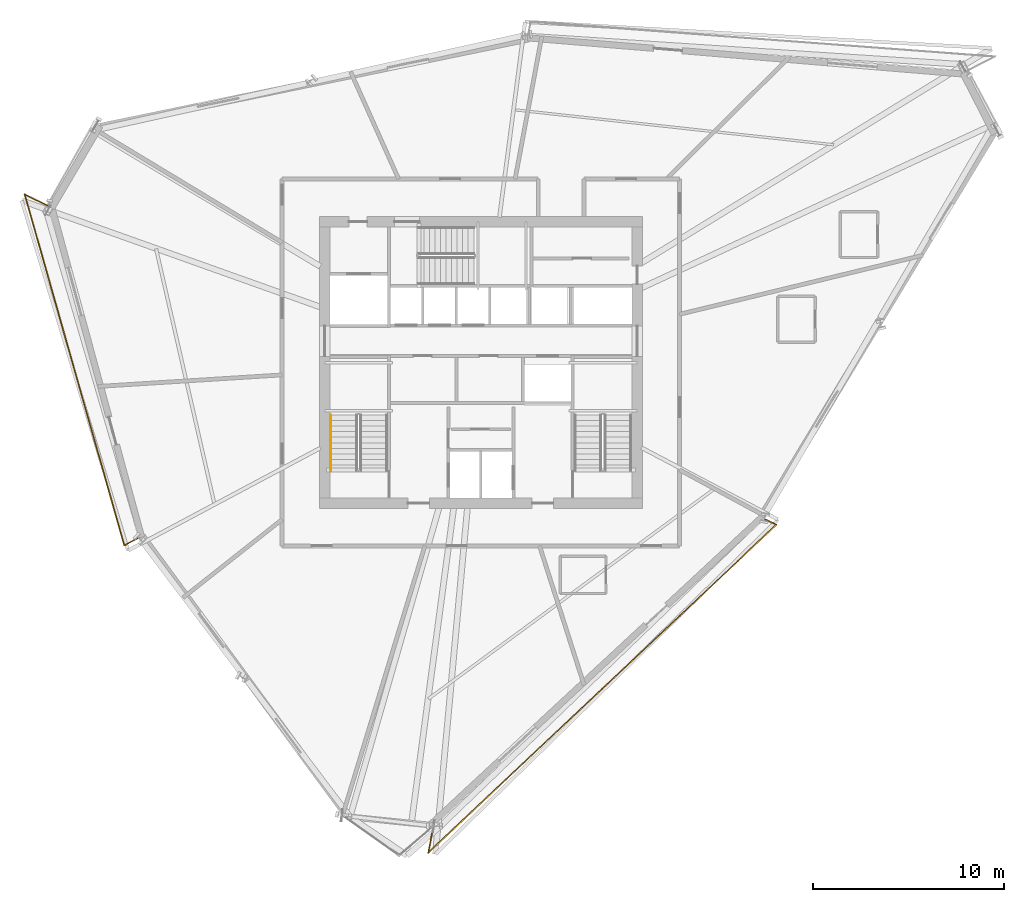
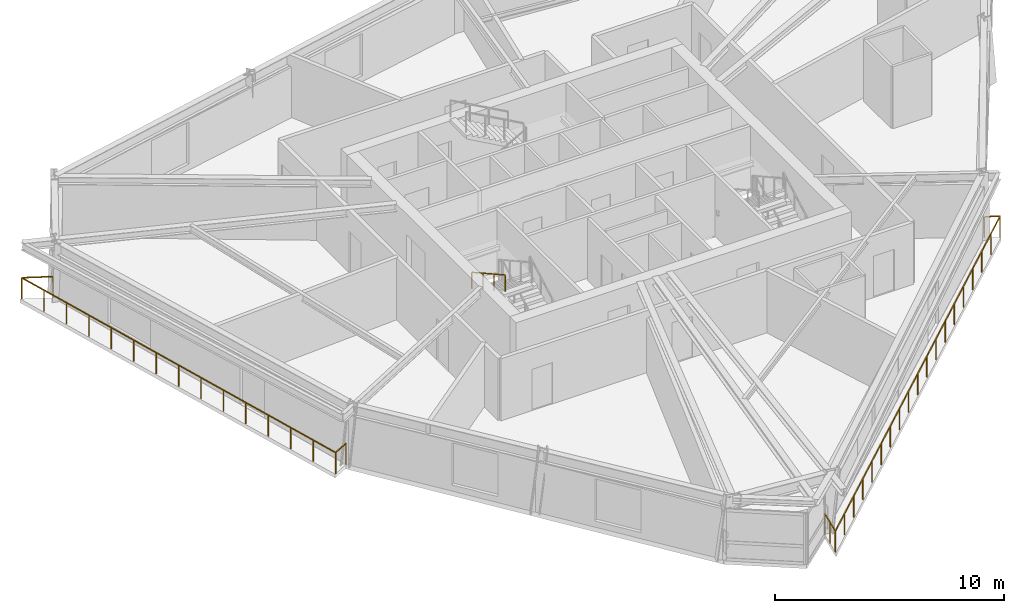
# One storey, part 13 of 15: 3 railings.
"""IFC4 building model written with IfcOpenShell, lengths in metres."""

from ifc_helpers import new_model, si_unit, direction, frame, origin, origin_2d, place, context, subcontext, project, spatial, rectangle, extrude, material, type_object, element, save


model = new_model("IFC4")

# Units and contexts
model_context = context("Model", 3, precision=1e-05, world=origin(), true_north=direction((0.0, 1.0)))
body_context = subcontext(model_context, "Body", "Model", "MODEL_VIEW")
ifc_project = project(units=[si_unit("LENGTHUNIT", "METRE"), si_unit("AREAUNIT", "SQUARE_METRE"), si_unit("VOLUMEUNIT", "CUBIC_METRE"), si_unit("PLANEANGLEUNIT", "RADIAN"), si_unit("MASSUNIT", "GRAM", prefix="KILO")], contexts=[model_context])

# Site, building, storey
site_placement = place(None, origin())
site = spatial("IfcSite", under=ifc_project, at=site_placement, CompositionType="ELEMENT")
building_placement = place(site_placement, origin())
building = spatial("IfcBuilding", under=site, at=building_placement, Name="Olszyna Solenne Hotel", CompositionType="ELEMENT")
storey_placement = place(building_placement, frame((0.0, 0.0, 146.60009765625)))
storey = spatial("IfcBuildingStorey", under=building, at=storey_placement, Name="L38", CompositionType="ELEMENT", Elevation=146.60009765625)

# Railings
ifc_material_1 = material(Name="Anodised bronze aluminium", Category="aluminium")
railing_type_1 = type_object("IfcRailingType", Name="GR-110", PredefinedType="BALUSTRADE", material=ifc_material_1)
railing_1_placement = place(storey_placement, frame((15.365234375, 34.789306640625, 0.0)))
element("IfcRailing", 1, at=railing_1_placement, inside=storey, type_object=railing_type_1, Name="Loggia balcony balustrade guard GR-L38-LG2", PredefinedType="BALUSTRADE", context=body_context, shape_type="SweptSolid", body=[
    extrude(rectangle(XDim=0.048095703125, YDim=0.048095703125, at=origin_2d()), frame((0.0, 0.0, 1.1259765625), z_axis=(-0.895451444024, 0.44515919781, 0.0), x_axis=(-0.44515919781, -0.895451444024, 0.0)), (0.0, 0.0, 1.0), 1.37939453125),
    extrude(rectangle(XDim=0.048095703125, YDim=0.048095703125, at=origin_2d()), frame((-1.235107421875, 0.614013671875, 1.1259765625), z_axis=(0.272978427673, -0.962020154688, 0.0), x_axis=(0.962020154688, 0.272978427673, 0.0)), (0.0, 0.0, 1.0), 19.099853515625),
    extrude(rectangle(XDim=0.048095703125, YDim=0.048095703125, at=origin_2d()), frame((3.978759765625, -17.760498046875, 1.1259765625), z_axis=(0.88763221009, 0.460552993271, 0.0), x_axis=(-0.460552993271, 0.88763221009, 0.0)), (0.0, 0.0, 1.0), 0.845947265625),
    extrude(rectangle(XDim=0.0419921875, YDim=0.0419921875, at=origin_2d()), origin(), (0.0, 0.0, 1.0), 1.101806640625),
    extrude(rectangle(XDim=0.0419921875, YDim=0.0419921875, at=origin_2d()), frame((-1.235107421875, 0.614013671875, 0.0)), (0.0, 0.0, 1.0), 1.101806640625),
    extrude(rectangle(XDim=0.0419921875, YDim=0.0419921875, at=origin_2d()), frame((-0.86279296875, -0.698486328125, 0.0)), (0.0, 0.0, 1.0), 1.101806640625),
    extrude(rectangle(XDim=0.0419921875, YDim=0.0419921875, at=origin_2d()), frame((-0.490234375, -2.010986328125, 0.0)), (0.0, 0.0, 1.0), 1.101806640625),
    extrude(rectangle(XDim=0.0419921875, YDim=0.0419921875, at=origin_2d()), frame((-0.117919921875, -3.323486328125, 0.0)), (0.0, 0.0, 1.0), 1.101806640625),
    extrude(rectangle(XDim=0.0419921875, YDim=0.0419921875, at=origin_2d()), frame((0.254638671875, -4.6357421875, 0.0)), (0.0, 0.0, 1.0), 1.101806640625),
    extrude(rectangle(XDim=0.0419921875, YDim=0.0419921875, at=origin_2d()), frame((0.626953125, -5.9482421875, 0.0)), (0.0, 0.0, 1.0), 1.101806640625),
    extrude(rectangle(XDim=0.0419921875, YDim=0.0419921875, at=origin_2d()), frame((0.99951171875, -7.2607421875, 0.0)), (0.0, 0.0, 1.0), 1.101806640625),
    extrude(rectangle(XDim=0.0419921875, YDim=0.0419921875, at=origin_2d()), frame((1.371826171875, -8.5732421875, 0.0)), (0.0, 0.0, 1.0), 1.101806640625),
    extrude(rectangle(XDim=0.0419921875, YDim=0.0419921875, at=origin_2d()), frame((1.744140625, -9.8857421875, 0.0)), (0.0, 0.0, 1.0), 1.101806640625),
    extrude(rectangle(XDim=0.0419921875, YDim=0.0419921875, at=origin_2d()), frame((2.11669921875, -11.1982421875, 0.0)), (0.0, 0.0, 1.0), 1.101806640625),
    extrude(rectangle(XDim=0.0419921875, YDim=0.0419921875, at=origin_2d()), frame((2.489013671875, -12.5107421875, 0.0)), (0.0, 0.0, 1.0), 1.101806640625),
    extrude(rectangle(XDim=0.0419921875, YDim=0.0419921875, at=origin_2d()), frame((2.861572265625, -13.822998046875, 0.0)), (0.0, 0.0, 1.0), 1.101806640625),
    extrude(rectangle(XDim=0.0419921875, YDim=0.0419921875, at=origin_2d()), frame((3.23388671875, -15.135498046875, 0.0)), (0.0, 0.0, 1.0), 1.101806640625),
    extrude(rectangle(XDim=0.0419921875, YDim=0.0419921875, at=origin_2d()), frame((3.6064453125, -16.447998046875, 0.0)), (0.0, 0.0, 1.0), 1.101806640625),
    extrude(rectangle(XDim=0.0419921875, YDim=0.0419921875, at=origin_2d()), frame((3.978759765625, -17.760498046875, 0.0)), (0.0, 0.0, 1.0), 1.101806640625),
    extrude(rectangle(XDim=0.0419921875, YDim=0.0419921875, at=origin_2d()), frame((4.729736328125, -17.370849609375, 0.0)), (0.0, 0.0, 1.0), 1.101806640625),
])
railing_2_placement = place(storey_placement, frame((35.515625, 2.343505859375, 0.0)))
element("IfcRailing", 2, at=railing_2_placement, inside=storey, type_object=railing_type_1, Name="Loggia balcony balustrade guard GR-L38-LG3", PredefinedType="BALUSTRADE", context=body_context, shape_type="SweptSolid", body=[
    extrude(rectangle(XDim=0.048095703125, YDim=0.048095703125, at=origin_2d()), frame((0.0, 0.0, 1.1259765625), z_axis=(-0.18810052746, -0.982149780619, 0.0), x_axis=(0.982149780619, -0.18810052746, 0.0)), (0.0, 0.0, 1.0), 1.418701171875),
    extrude(rectangle(XDim=0.048095703125, YDim=0.048095703125, at=origin_2d()), frame((-0.266845703125, -1.393310546875, 1.1259765625), z_axis=(0.727771830344, 0.685819336966, 0.0), x_axis=(-0.685819336966, 0.727771830344, 0.0)), (0.0, 0.0, 1.0), 25.017822265625),
    extrude(rectangle(XDim=0.048095703125, YDim=0.048095703125, at=origin_2d()), frame((17.9404296875, 15.764404296875, 1.1259765625), z_axis=(-0.895486929891, 0.445087809756, 0.0), x_axis=(-0.445087809756, -0.895486929891, 0.0)), (0.0, 0.0, 1.0), 0.689453125),
    extrude(rectangle(XDim=0.0419921875, YDim=0.0419921875, at=origin_2d()), origin(), (0.0, 0.0, 1.0), 1.101806640625),
    extrude(rectangle(XDim=0.0419921875, YDim=0.0419921875, at=origin_2d()), frame((-0.13330078125, -0.69677734375, 0.0)), (0.0, 0.0, 1.0), 1.101806640625),
    extrude(rectangle(XDim=0.0419921875, YDim=0.0419921875, at=origin_2d()), frame((-0.266845703125, -1.393310546875, 0.0)), (0.0, 0.0, 1.0), 1.101806640625),
    extrude(rectangle(XDim=0.0419921875, YDim=0.0419921875, at=origin_2d()), frame((0.74462890625, -0.440185546875, 0.0)), (0.0, 0.0, 1.0), 1.101806640625),
    extrude(rectangle(XDim=0.0419921875, YDim=0.0419921875, at=origin_2d()), frame((1.756103515625, 0.51318359375, 0.0)), (0.0, 0.0, 1.0), 1.101806640625),
    extrude(rectangle(XDim=0.0419921875, YDim=0.0419921875, at=origin_2d()), frame((2.767578125, 1.46630859375, 0.0)), (0.0, 0.0, 1.0), 1.101806640625),
    extrude(rectangle(XDim=0.0419921875, YDim=0.0419921875, at=origin_2d()), frame((3.779296875, 2.41943359375, 0.0)), (0.0, 0.0, 1.0), 1.101806640625),
    extrude(rectangle(XDim=0.0419921875, YDim=0.0419921875, at=origin_2d()), frame((4.790771484375, 3.372802734375, 0.0)), (0.0, 0.0, 1.0), 1.101806640625),
    extrude(rectangle(XDim=0.0419921875, YDim=0.0419921875, at=origin_2d()), frame((5.80224609375, 4.325927734375, 0.0)), (0.0, 0.0, 1.0), 1.101806640625),
    extrude(rectangle(XDim=0.0419921875, YDim=0.0419921875, at=origin_2d()), frame((6.813720703125, 5.279052734375, 0.0)), (0.0, 0.0, 1.0), 1.101806640625),
    extrude(rectangle(XDim=0.0419921875, YDim=0.0419921875, at=origin_2d()), frame((7.8251953125, 6.232421875, 0.0)), (0.0, 0.0, 1.0), 1.101806640625),
    extrude(rectangle(XDim=0.0419921875, YDim=0.0419921875, at=origin_2d()), frame((8.8369140625, 7.185546875, 0.0)), (0.0, 0.0, 1.0), 1.101806640625),
    extrude(rectangle(XDim=0.0419921875, YDim=0.0419921875, at=origin_2d()), frame((9.848388671875, 8.138671875, 0.0)), (0.0, 0.0, 1.0), 1.101806640625),
    extrude(rectangle(XDim=0.0419921875, YDim=0.0419921875, at=origin_2d()), frame((10.85986328125, 9.092041015625, 0.0)), (0.0, 0.0, 1.0), 1.101806640625),
    extrude(rectangle(XDim=0.0419921875, YDim=0.0419921875, at=origin_2d()), frame((11.871337890625, 10.045166015625, 0.0)), (0.0, 0.0, 1.0), 1.101806640625),
    extrude(rectangle(XDim=0.0419921875, YDim=0.0419921875, at=origin_2d()), frame((12.8828125, 10.998291015625, 0.0)), (0.0, 0.0, 1.0), 1.101806640625),
    extrude(rectangle(XDim=0.0419921875, YDim=0.0419921875, at=origin_2d()), frame((13.894287109375, 11.95166015625, 0.0)), (0.0, 0.0, 1.0), 1.101806640625),
    extrude(rectangle(XDim=0.0419921875, YDim=0.0419921875, at=origin_2d()), frame((14.90576171875, 12.90478515625, 0.0)), (0.0, 0.0, 1.0), 1.101806640625),
    extrude(rectangle(XDim=0.0419921875, YDim=0.0419921875, at=origin_2d()), frame((15.91748046875, 13.85791015625, 0.0)), (0.0, 0.0, 1.0), 1.101806640625),
    extrude(rectangle(XDim=0.0419921875, YDim=0.0419921875, at=origin_2d()), frame((16.928955078125, 14.811279296875, 0.0)), (0.0, 0.0, 1.0), 1.101806640625),
    extrude(rectangle(XDim=0.0419921875, YDim=0.0419921875, at=origin_2d()), frame((17.9404296875, 15.764404296875, 0.0)), (0.0, 0.0, 1.0), 1.101806640625),
    extrude(rectangle(XDim=0.0419921875, YDim=0.0419921875, at=origin_2d()), frame((17.322998046875, 16.0712890625, 0.0)), (0.0, 0.0, 1.0), 1.101806640625),
])
ifc_material_2 = material(Name="Steel S355J2", Category="steel")
railing_type_2 = type_object("IfcRailingType", Name="HR-090", PredefinedType="HANDRAIL", material=ifc_material_2)
railing_3_placement = place(storey_placement, frame((30.14990234375, 23.85009765625, 1.936279296875)))
element("IfcRailing", 3, at=railing_3_placement, inside=storey, type_object=railing_type_2, Name="L38 ST1 stair handrail 2", PredefinedType="HANDRAIL", context=body_context, shape_type="SweptSolid", body=[
    extrude(rectangle(XDim=0.048095703125, YDim=0.048095703125, at=origin_2d()), frame((0.0, 0.0, 0.8759765625), z_axis=(0.0, -0.873858693841, 0.486179990537), x_axis=(1.0, 0.0, 0.0)), (0.0, 0.0, 1.0), 3.31884765625),
    extrude(rectangle(XDim=0.0419921875, YDim=0.0419921875, at=origin_2d()), origin(), (0.0, 0.0, 1.0), 0.851806640625),
    extrude(rectangle(XDim=0.0419921875, YDim=0.0419921875, at=origin_2d()), frame((0.0, -0.966796875, 0.537841796875)), (0.0, 0.0, 1.0), 0.851806640625),
    extrude(rectangle(XDim=0.0419921875, YDim=0.0419921875, at=origin_2d()), frame((0.0, -1.933349609375, 1.07568359375)), (0.0, 0.0, 1.0), 0.851806640625),
    extrude(rectangle(XDim=0.0419921875, YDim=0.0419921875, at=origin_2d()), frame((0.0, -2.900146484375, 1.613525390625)), (0.0, 0.0, 1.0), 0.851806640625),
])

save(model, "model.ifc")
